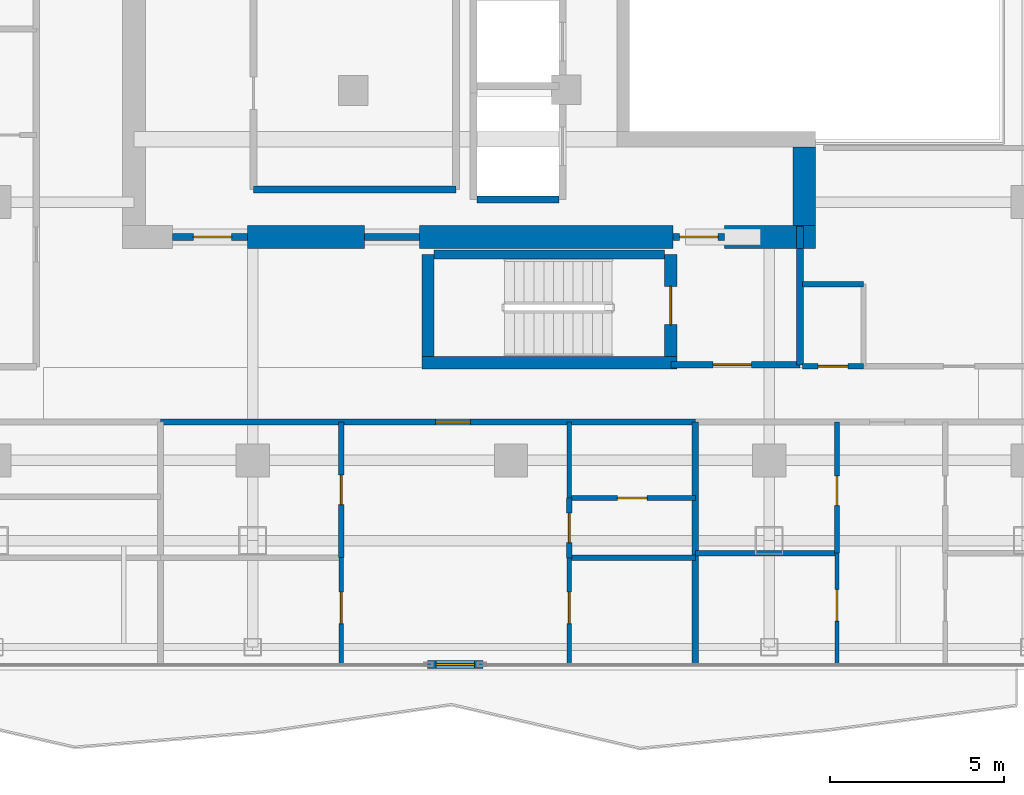
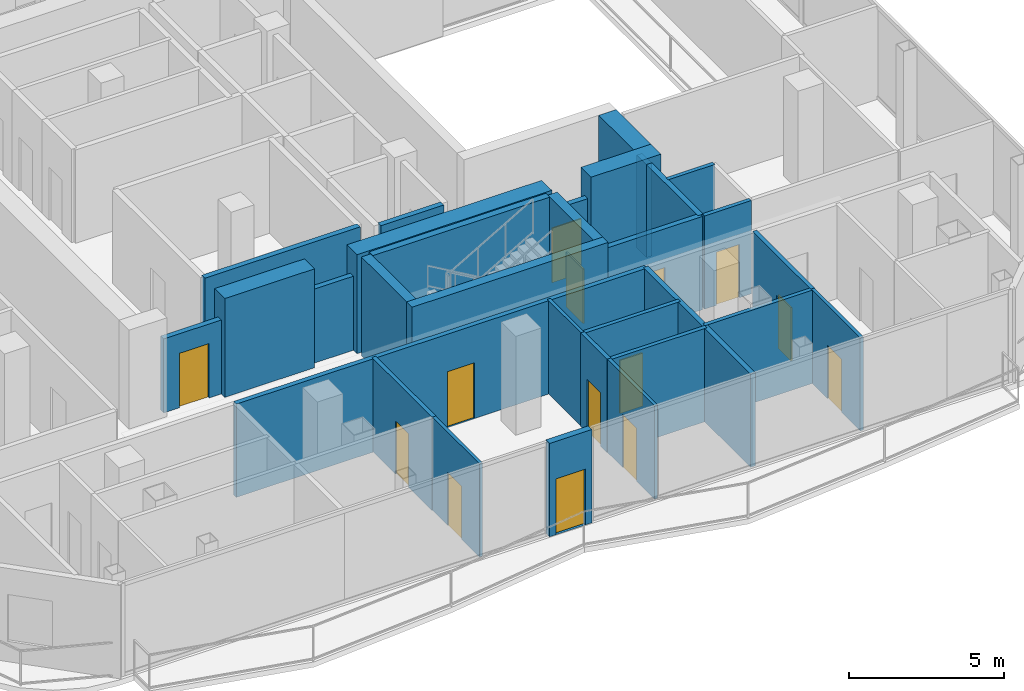
# One storey, part 16 of 23: 31 walls, 14 doors, 14 openings.
"""IFC4 building model written with IfcOpenShell, lengths in metres."""

import ifcopenshell
import ifcopenshell.guid

model = None  # the IFC model being written
_history = None  # IfcOwnerHistory: only IFC2X3 demands one
_inside = {}  # id of a spatial element -> (the spatial element, [elements in it])
_under = {}  # id of a project, library or spatial element -> (it, [spatial elements below it])
_declared = {}  # id of a project -> (the project, [libraries it declares])
_typed = {}  # id of a type object -> (the type object, [elements of that type])
_made_of = {}  # id of a material, layer set ... -> (it, [elements and type objects made of it])


def new_model(schema):
    """Start an empty IFC model of exactly this schema.

    Asked for "IFC4X3", IfcOpenShell would pick the latest addendum, in which some entities
    have other attributes; the version numbers below select the first issue.
    IFC2X3 requires an IfcOwnerHistory on every rooted entity: one is made here for all.
    """
    global model, _history
    if schema == "IFC4X3":
        model = ifcopenshell.file(schema_version=(4, 3, 0, 0))
    else:
        model = ifcopenshell.file(schema=schema)
    _inside.clear()
    _under.clear()
    _declared.clear()
    _typed.clear()
    _made_of.clear()
    _history = None
    if model.schema == "IFC2X3":
        org = make("IfcOrganization", Name="unknown")
        user = make(
            "IfcPersonAndOrganization",
            ThePerson=make("IfcPerson", FamilyName="unknown"),
            TheOrganization=org,
        )
        app = make(
            "IfcApplication",
            ApplicationDeveloper=org,
            Version="unknown",
            ApplicationFullName="unknown",
            ApplicationIdentifier="unknown",
        )
        _history = make(
            "IfcOwnerHistory",
            OwningUser=user,
            OwningApplication=app,
            ChangeAction="ADDED",
            CreationDate=0,
        )
    return model


def make(cls, **values):
    """One entity of the class cls with the attributes given. An attribute that is None is left unset."""
    return model.create_entity(
        cls, **{name: value for name, value in values.items() if value is not None}
    )


def rooted(cls, **values):
    """An entity with a GlobalId (a new one), such as an element, a storey or a relation."""
    return make(cls, GlobalId=ifcopenshell.guid.new(), OwnerHistory=_history, **values)


def si_unit(unit_type, name, prefix=None):
    """IfcSIUnit, for example si_unit("LENGTHUNIT", "METRE", prefix="MILLI")."""
    return make("IfcSIUnit", UnitType=unit_type, Prefix=prefix, Name=name)


def assignment(units):
    """IfcUnitAssignment: the units of a project."""
    return None if units is None else make("IfcUnitAssignment", Units=units)


def point(xyz):
    """IfcCartesianPoint."""
    return None if xyz is None else make("IfcCartesianPoint", Coordinates=xyz)


def direction(xyz):
    """IfcDirection."""
    return None if xyz is None else make("IfcDirection", DirectionRatios=xyz)


def frame(location, z_axis=None, x_axis=None):
    """IfcAxis2Placement3D, a coordinate frame: its origin and axes. An axis left out is left unset."""
    return make(
        "IfcAxis2Placement3D",
        Location=point(location),
        Axis=direction(z_axis),
        RefDirection=direction(x_axis),
    )


def frame_2d(location, x_axis=None):
    """IfcAxis2Placement2D, a coordinate frame in the plane: its origin and x axis."""
    return make(
        "IfcAxis2Placement2D", Location=point(location), RefDirection=direction(x_axis)
    )


def origin():
    """The frame at (0, 0, 0) with its axes left unset."""
    return frame((0.0, 0.0, 0.0))


def place(relative_to, where):
    """IfcLocalPlacement: puts the frame where relative to a parent placement (None: the world)."""
    return make(
        "IfcLocalPlacement", PlacementRelTo=relative_to, RelativePlacement=where
    )


def context(
    kind, dimensions, precision=None, world=None, true_north=None, identifier=None
):
    """IfcGeometricRepresentationContext, for example the 3D "Model" context."""
    return make(
        "IfcGeometricRepresentationContext",
        ContextIdentifier=identifier,
        ContextType=kind,
        CoordinateSpaceDimension=dimensions,
        Precision=precision,
        WorldCoordinateSystem=world,
        TrueNorth=true_north,
    )


def subcontext(parent, identifier, kind, view, scale=None):
    """IfcGeometricRepresentationSubContext, for example "Body" below "Model"."""
    return make(
        "IfcGeometricRepresentationSubContext",
        ContextIdentifier=identifier,
        ContextType=kind,
        ParentContext=parent,
        TargetScale=scale,
        TargetView=view,
    )


def project(units=None, contexts=None):
    """IfcProject with its units and contexts."""
    return rooted(
        "IfcProject",
        Name="project",
        RepresentationContexts=contexts,
        UnitsInContext=assignment(units),
    )


def spatial(cls, under=None, at=None, **own):
    """A site, building, storey or space (cls), placed at a placement, below another one or the project."""
    s = rooted(cls, ObjectPlacement=at, **own)
    if under is not None:
        _under.setdefault(under.id(), (under, []))[1].append(s)
    return s


def profile(cls, at=None, kind="AREA", **sizes):
    """A parametric profile (cls). Its sizes go by their IFC names, for example OverallWidth=200.0."""
    return make(cls, ProfileType=kind, Position=at, **sizes)


def rectangle(**sizes):
    """IfcRectangleProfileDef."""
    return profile("IfcRectangleProfileDef", **sizes)


def extrude(swept, where, along, depth):
    """IfcExtrudedAreaSolid: the profile swept, set in the frame where, extruded along a direction by depth."""
    return make(
        "IfcExtrudedAreaSolid",
        SweptArea=swept,
        Position=where,
        ExtrudedDirection=direction(along),
        Depth=depth,
    )


def shape(context_of_items, identifier, shape_type, items):
    """IfcShapeRepresentation: the items that make up one representation, for example the "Body"."""
    return make(
        "IfcShapeRepresentation",
        ContextOfItems=context_of_items,
        RepresentationIdentifier=identifier,
        RepresentationType=shape_type,
        Items=items,
    )


def material(Name=None, Category=None):
    """IfcMaterial."""
    return make("IfcMaterial", Name=Name, Category=Category)


def layer(
    of_material, thickness, ventilated=None, Name=None, Category=None, Priority=None
):
    """IfcMaterialLayer: one layer of a wall or slab, of a material (None: an air gap)."""
    return make(
        "IfcMaterialLayer",
        Material=of_material,
        LayerThickness=thickness,
        IsVentilated=ventilated,
        Name=Name,
        Category=Category,
        Priority=Priority,
    )


def layer_set(layers, Name=None):
    """IfcMaterialLayerSet."""
    return make("IfcMaterialLayerSet", MaterialLayers=layers, LayerSetName=Name)


def made_of(thing, what):
    """Note that an element or type object is made of a material, layer set ...; save() writes the relation."""
    if what is not None:
        _made_of.setdefault(what.id(), (what, []))[1].append(thing)
    return thing


def type_object(cls, material=None, **own):
    """A type object (cls), such as IfcWallType, which elements share."""
    return made_of(rooted(cls, **own), material)


def element(
    cls,
    number,
    at=None,
    inside=None,
    cuts=None,
    type_object=None,
    material=None,
    context=None,
    identifier="Body",
    shape_type=None,
    held_by="IfcProductDefinitionShape",
    body=None,
    shapes=None,
    **own,
):
    """One element of the class cls, such as IfcWall. Its Tag is "e" and its number.

    at: its placement. inside: the storey or other place that contains it. cuts: it is an
    opening in that element (IfcRelVoidsElement). A single representation is given by context,
    identifier, shape_type and body (its items); several are given by shapes. held_by: the class
    of the entity that holds the representations. save() writes the other relations.
    """
    e = rooted(cls, Tag="e%d" % number, ObjectPlacement=at, **own)
    if body is not None:
        shapes = [shape(context, identifier, shape_type, body)]
    if shapes is not None:
        e.Representation = make(held_by, Representations=shapes)
    if inside is not None:
        _inside.setdefault(inside.id(), (inside, []))[1].append(e)
    if cuts is not None:
        rooted(
            "IfcRelVoidsElement", RelatingBuildingElement=cuts, RelatedOpeningElement=e
        )
    if type_object is not None:
        _typed.setdefault(type_object.id(), (type_object, []))[1].append(e)
    return made_of(e, material)


def fill(opening, filler):
    """IfcRelFillsElement: the door or window that sits in an opening."""
    return rooted(
        "IfcRelFillsElement",
        RelatingOpeningElement=opening,
        RelatedBuildingElement=filler,
    )


def aggregate(whole, parts):
    """IfcRelAggregates: a whole, such as a stair, and the parts it consists of."""
    return rooted("IfcRelAggregates", RelatingObject=whole, RelatedObjects=parts)


def save(model, path):
    """Write the relations noted so far, then the file.

    IfcRelAggregates (storeys below a building ...), IfcRelContainedInSpatialStructure (elements
    in a storey), IfcRelDefinesByType, IfcRelAssociatesMaterial and IfcRelDeclares: one each for
    every whole, place, type object, material and project.
    """
    for whole, parts in _under.values():
        aggregate(whole, parts)
    for where, things in _inside.values():
        rooted(
            "IfcRelContainedInSpatialStructure",
            RelatedElements=things,
            RelatingStructure=where,
        )
    for kind, things in _typed.values():
        rooted("IfcRelDefinesByType", RelatedObjects=things, RelatingType=kind)
    for what, things in _made_of.values():
        rooted("IfcRelAssociatesMaterial", RelatedObjects=things, RelatingMaterial=what)
    for by, libraries in _declared.values():
        rooted("IfcRelDeclares", RelatingContext=by, RelatedDefinitions=libraries)
    model.write(path)


model = new_model("IFC4")

# Units and contexts
model_context = context("Model", 3, precision=1e-05, world=origin(), true_north=direction((0.0, 1.0)))
body_context = subcontext(model_context, "Body", "Model", "MODEL_VIEW")
ifc_project = project(units=[si_unit("LENGTHUNIT", "METRE"), si_unit("AREAUNIT", "SQUARE_METRE"), si_unit("VOLUMEUNIT", "CUBIC_METRE"), si_unit("PLANEANGLEUNIT", "RADIAN"), si_unit("MASSUNIT", "GRAM", prefix="KILO")], contexts=[model_context])

# Site, building, storey
site_placement = place(None, origin())
site = spatial("IfcSite", under=ifc_project, at=site_placement, CompositionType="ELEMENT")
building_placement = place(site_placement, origin())
building = spatial("IfcBuilding", under=site, at=building_placement, Name="Khorvyn Point Tower", CompositionType="ELEMENT")
storey_placement = place(building_placement, frame((0.0, 0.0, 293.699951171875)))
storey = spatial("IfcBuildingStorey", under=building, at=storey_placement, Name="L72", CompositionType="ELEMENT", Elevation=293.699951171875)

# Wall, opening, door
ifc_material_1 = material(Name="Double acoustic gypsum on twin steel stud", Category="steel")
ifc_layer_1 = layer(ifc_material_1, 0.179931640625)
ifc_layer_set_1 = layer_set([ifc_layer_1], Name="Acoustic Double-Stud Apartment Demising Wall 180")
wall_type_1 = type_object("IfcWallType", Name="Acoustic Double-Stud Apartment Demising Wall 180", PredefinedType="PARTITIONING", material=ifc_layer_set_1)
wall_1_placement = place(storey_placement, frame((-10.0400390625, -13.699951171875, 0.0), z_axis=(0.0, 0.0, 1.0), x_axis=(1.0, 0.0, 0.0)))
wall_1 = element("IfcWall", 1, at=wall_1_placement, inside=storey, type_object=wall_type_1, Name="Wall", PredefinedType="PARTITIONING", context=body_context, shape_type="SweptSolid", body=[
    extrude(rectangle(XDim=15.322998046875, YDim=0.179931640625, at=frame_2d((7.66162109375, 0.0))), origin(), (0.0, 0.0, 1.0), 3.679931640625),
])
opening_1_placement = place(wall_1_placement, frame((7.879638671875, 0.0, 0.0)))
opening_1 = element("IfcOpeningElement", 2, at=opening_1_placement, cuts=wall_1, Name="Opening ID-AP60", PredefinedType="OPENING", context=body_context, shape_type="SweptSolid", body=[
    extrude(rectangle(XDim=1.0, YDim=2.199951171875, at=frame_2d((0.5, 1.10009765625))), frame((0.0, 0.099853515625, 0.0), z_axis=(0.0, -1.0, 0.0), x_axis=(1.0, 0.0, 0.0)), (0.0, 0.0, 1.0), 0.199951171875),
])
ifc_material_2 = material(Name="Engineered hardwood fire-rated leaf", Category="wood")
door_type_1 = type_object("IfcDoorType", Name="Acoustic Solid-Core Timber Apartment Entrance Door 1000x2200", OperationType="NOTDEFINED", PredefinedType="DOOR", material=ifc_material_2)
door_1_placement = place(opening_1_placement, origin())
door_1 = element("IfcDoor", 3, at=door_1_placement, inside=storey, type_object=door_type_1, Name="Door", OperationType="SINGLE_SWING_LEFT", OverallHeight=2.199951171875, OverallWidth=1.0, PredefinedType="DOOR", context=body_context, shape_type="SweptSolid", body=[
    extrude(rectangle(XDim=1.0, YDim=2.199951171875, at=frame_2d((0.5, 1.10009765625))), frame((0.0, 0.02490234375, 0.0), z_axis=(0.0, -1.0, 0.0), x_axis=(1.0, 0.0, 0.0)), (0.0, 0.0, 1.0), 0.050048828125),
])
fill(opening_1, door_1)

# Wall
wall_2_placement = place(storey_placement, frame((5.282958984375, -20.6298828125, 0.0), z_axis=(0.0, 0.0, 1.0), x_axis=(0.0, 1.0, 0.0)))
element("IfcWall", 4, at=wall_2_placement, inside=storey, type_object=wall_type_1, Name="Wall", PredefinedType="PARTITIONING", context=body_context, shape_type="SweptSolid", body=[
    extrude(rectangle(XDim=6.929931640625, YDim=0.179931640625, at=frame_2d((3.46484375, 0.0))), origin(), (0.0, 0.0, 1.0), 3.679931640625),
])

# Wall, opening, door
ifc_material_3 = material(Name="Pale anodised aluminium rainscreen on steel stud", Category="steel")
ifc_layer_2 = layer(ifc_material_3, 0.239990234375)
ifc_layer_set_2 = layer_set([ifc_layer_2], Name="Anodised Aluminium Insulated Corner Spandrel Wall 240")
wall_type_2 = type_object("IfcWallType", Name="Anodised Aluminium Insulated Corner Spandrel Wall 240", PredefinedType="SOLIDWALL", material=ifc_layer_set_2)
wall_3_placement = place(storey_placement, frame((-0.806884765625, -20.64990234375, 0.0), z_axis=(0.0, 0.0, 1.0), x_axis=(-1.0, 0.0, 0.0)))
wall_3 = element("IfcWall", 5, at=wall_3_placement, inside=storey, type_object=wall_type_2, Name="L72 South Outdoor Threshold Wall", PredefinedType="SOLIDWALL", context=body_context, shape_type="SweptSolid", body=[
    extrude(rectangle(XDim=1.580078125, YDim=0.239990234375, at=frame_2d((0.7900390625, 0.0))), origin(), (0.0, 0.0, 1.0), 3.679931640625),
])
opening_2_placement = place(wall_3_placement, frame((0.239990234375, 0.0, 0.0)))
opening_2 = element("IfcOpeningElement", 6, at=opening_2_placement, cuts=wall_3, Name="Opening BD-1122", PredefinedType="OPENING", context=body_context, shape_type="SweptSolid", body=[
    extrude(rectangle(XDim=1.10009765625, YDim=2.199951171875, at=frame_2d((0.550048828125, 1.10009765625))), frame((0.0, 0.1298828125, 0.0), z_axis=(0.0, -1.0, 0.0), x_axis=(1.0, 0.0, 0.0)), (0.0, 0.0, 1.0), 0.260009765625),
])
ifc_material_4 = material(Name="Anodised aluminium 6063-T6 and laminated Low-E glass", Category="aluminium")
door_type_2 = type_object("IfcDoorType", Name="Glazed Balcony and Terrace Threshold Door 1100x2200", OperationType="NOTDEFINED", PredefinedType="DOOR", material=ifc_material_4)
door_2_placement = place(opening_2_placement, origin())
door_2 = element("IfcDoor", 7, at=door_2_placement, inside=storey, type_object=door_type_2, Name="L72 South Glazed Balcony Outdoor Door", OperationType="SINGLE_SWING_LEFT", OverallHeight=2.199951171875, OverallWidth=1.10009765625, PredefinedType="DOOR", context=body_context, shape_type="SweptSolid", body=[
    extrude(rectangle(XDim=1.10009765625, YDim=2.199951171875, at=frame_2d((0.550048828125, 1.10009765625))), frame((0.0, 0.02490234375, 0.0), z_axis=(0.0, -1.0, 0.0), x_axis=(1.0, 0.0, 0.0)), (0.0, 0.0, 1.0), 0.050048828125),
])
fill(opening_2, door_2)

# Walls
ifc_material_5 = material(Name="Concrete C40/50", Category="concrete")
ifc_layer_3 = layer(ifc_material_5, 0.64990234375)
ifc_layer_set_3 = layer_set([ifc_layer_3], Name="Concrete C40/50 Core Shear Wall 650")
wall_type_3 = type_object("IfcWallType", Name="Concrete C40/50 Core Shear Wall 650", PredefinedType="SHEAR", material=ifc_layer_set_3)
wall_4_placement = place(storey_placement, frame((-7.550048828125, -8.39990234375, 0.0), z_axis=(0.0, 0.0, 1.0), x_axis=(1.0, 0.0, 0.0)))
element("IfcWall", 8, at=wall_4_placement, inside=storey, type_object=wall_type_3, Name="Wall", PredefinedType="SHEAR", context=body_context, shape_type="SweptSolid", body=[
    extrude(rectangle(XDim=3.35009765625, YDim=0.64990234375, at=frame_2d((1.675048828125, 0.0))), origin(), (0.0, 0.0, 1.0), 3.900146484375),
])
wall_5_placement = place(storey_placement, frame((-2.6201171875, -8.39990234375, 0.0), z_axis=(0.0, 0.0, 1.0), x_axis=(1.0, 0.0, 0.0)))
element("IfcWall", 9, at=wall_5_placement, inside=storey, type_object=wall_type_3, Name="Wall", PredefinedType="SHEAR", context=body_context, shape_type="SweptSolid", body=[
    extrude(rectangle(XDim=7.27001953125, YDim=0.64990234375, at=frame_2d((3.635009765625, 0.0))), origin(), (0.0, 0.0, 1.0), 3.900146484375),
])
wall_6_placement = place(storey_placement, frame((6.1201171875, -8.39990234375, 0.0), z_axis=(0.0, 0.0, 1.0), x_axis=(1.0, 0.0, 0.0)))
element("IfcWall", 10, at=wall_6_placement, inside=storey, type_object=wall_type_3, Name="Wall", PredefinedType="SHEAR", context=body_context, shape_type="SweptSolid", body=[
    extrude(rectangle(XDim=2.60498046875, YDim=0.64990234375, at=frame_2d((1.302490234375, 0.0))), origin(), (0.0, 0.0, 1.0), 3.900146484375),
])
wall_7_placement = place(storey_placement, frame((8.39990234375, -8.074951171875, 0.0), z_axis=(0.0, 0.0, 1.0), x_axis=(0.0, 1.0, 0.0)))
element("IfcWall", 11, at=wall_7_placement, inside=storey, type_object=wall_type_3, Name="Wall", PredefinedType="SHEAR", context=body_context, shape_type="SweptSolid", body=[
    extrude(rectangle(XDim=2.25, YDim=0.64990234375, at=frame_2d((1.125, 0.0))), origin(), (0.0, 0.0, 1.0), 3.900146484375),
])

# Wall, opening, door
ifc_layer_4 = layer(ifc_material_5, 0.199951171875)
ifc_layer_set_4 = layer_set([ifc_layer_4], Name="Concrete C40/50 Fire-Lobby Compartment Wall 200")
wall_type_4 = type_object("IfcWallType", Name="Concrete C40/50 Fire-Lobby Compartment Wall 200", PredefinedType="SOLIDWALL", material=ifc_layer_set_4)
wall_8_placement = place(storey_placement, frame((4.580078125, -12.06005859375, 0.0), z_axis=(0.0, 0.0, 1.0), x_axis=(1.0, 0.0, 0.0)))
wall_8 = element("IfcWall", 12, at=wall_8_placement, inside=storey, type_object=wall_type_4, Name="Wall", PredefinedType="SOLIDWALL", context=body_context, shape_type="SweptSolid", body=[
    extrude(rectangle(XDim=3.699951171875, YDim=0.199951171875, at=frame_2d((1.85009765625, 0.0))), origin(), (0.0, 0.0, 1.0), 3.679931640625),
])
opening_3_placement = place(wall_8_placement, frame((1.21240234375, 0.0, 0.0)))
opening_3 = element("IfcOpeningElement", 13, at=opening_3_placement, cuts=wall_8, Name="Opening ID-FL90", PredefinedType="OPENING", context=body_context, shape_type="SweptSolid", body=[
    extrude(rectangle(XDim=1.10009765625, YDim=2.14990234375, at=frame_2d((0.550048828125, 1.074951171875))), frame((0.0, 0.10986328125, 0.0), z_axis=(0.0, -1.0, 0.0), x_axis=(1.0, 0.0, 0.0)), (0.0, 0.0, 1.0), 0.219970703125),
])
ifc_material_6 = material(Name="Galvanised powder-coated steel", Category="steel")
door_type_3 = type_object("IfcDoorType", Name="Fire-Rated Steel Lobby and Stair Door 1100x2150", OperationType="NOTDEFINED", PredefinedType="DOOR", material=ifc_material_6)
door_3_placement = place(opening_3_placement, origin())
door_3 = element("IfcDoor", 14, at=door_3_placement, inside=storey, type_object=door_type_3, Name="Door", OperationType="SINGLE_SWING_LEFT", OverallHeight=2.14990234375, OverallWidth=1.10009765625, PredefinedType="DOOR", context=body_context, shape_type="SweptSolid", body=[
    extrude(rectangle(XDim=1.10009765625, YDim=2.14990234375, at=frame_2d((0.550048828125, 1.074951171875))), frame((0.0, 0.02490234375, 0.0), z_axis=(0.0, -1.0, 0.0), x_axis=(1.0, 0.0, 0.0)), (0.0, 0.0, 1.0), 0.050048828125),
])
fill(opening_3, door_3)

wall_9_placement = place(storey_placement, frame((4.64990234375, -8.39990234375, 0.0), z_axis=(0.0, 0.0, 1.0), x_axis=(1.0, 0.0, 0.0)))
wall_9 = element("IfcWall", 15, at=wall_9_placement, inside=storey, type_object=wall_type_4, Name="Wall", PredefinedType="SOLIDWALL", context=body_context, shape_type="SweptSolid", body=[
    extrude(rectangle(XDim=1.47021484375, YDim=0.199951171875, at=frame_2d((0.735107421875, 0.0))), origin(), (0.0, 0.0, 1.0), 2.920166015625),
])
opening_4_placement = place(wall_9_placement, frame((0.18505859375, 0.0, 0.0)))
opening_4 = element("IfcOpeningElement", 16, at=opening_4_placement, cuts=wall_9, Name="Opening ID-FL90", PredefinedType="OPENING", context=body_context, shape_type="SweptSolid", body=[
    extrude(rectangle(XDim=1.10009765625, YDim=2.14990234375, at=frame_2d((0.550048828125, 1.074951171875))), frame((0.0, 0.10986328125, 0.0), z_axis=(0.0, -1.0, 0.0), x_axis=(1.0, 0.0, 0.0)), (0.0, 0.0, 1.0), 0.219970703125),
])
door_4_placement = place(opening_4_placement, origin())
door_4 = element("IfcDoor", 17, at=door_4_placement, inside=storey, type_object=door_type_3, Name="Door", OperationType="SINGLE_SWING_RIGHT", OverallHeight=2.14990234375, OverallWidth=1.10009765625, PredefinedType="DOOR", context=body_context, shape_type="SweptSolid", body=[
    extrude(rectangle(XDim=1.10009765625, YDim=2.14990234375, at=frame_2d((0.550048828125, 1.074951171875))), frame((0.0, 0.02490234375, 0.0), z_axis=(0.0, -1.0, 0.0), x_axis=(1.0, 0.0, 0.0)), (0.0, 0.0, 1.0), 0.050048828125),
])
fill(opening_4, door_4)

wall_10_placement = place(storey_placement, frame((-9.699951171875, -8.39990234375, 0.0), z_axis=(0.0, 0.0, 1.0), x_axis=(1.0, 0.0, 0.0)))
wall_10 = element("IfcWall", 18, at=wall_10_placement, inside=storey, type_object=wall_type_4, Name="Wall", PredefinedType="SOLIDWALL", context=body_context, shape_type="SweptSolid", body=[
    extrude(rectangle(XDim=2.14990234375, YDim=0.199951171875, at=frame_2d((1.074951171875, 0.0))), origin(), (0.0, 0.0, 1.0), 2.920166015625),
])
opening_5_placement = place(wall_10_placement, frame((0.597900390625, 0.0, 0.0)))
opening_5 = element("IfcOpeningElement", 19, at=opening_5_placement, cuts=wall_10, Name="Opening ID-FL90", PredefinedType="OPENING", context=body_context, shape_type="SweptSolid", body=[
    extrude(rectangle(XDim=1.10009765625, YDim=2.14990234375, at=frame_2d((0.550048828125, 1.074951171875))), frame((0.0, 0.10986328125, 0.0), z_axis=(0.0, -1.0, 0.0), x_axis=(1.0, 0.0, 0.0)), (0.0, 0.0, 1.0), 0.219970703125),
])
door_5_placement = place(opening_5_placement, origin())
door_5 = element("IfcDoor", 20, at=door_5_placement, inside=storey, type_object=door_type_3, Name="Door", OperationType="SINGLE_SWING_RIGHT", OverallHeight=2.14990234375, OverallWidth=1.10009765625, PredefinedType="DOOR", context=body_context, shape_type="SweptSolid", body=[
    extrude(rectangle(XDim=1.10009765625, YDim=2.14990234375, at=frame_2d((0.550048828125, 1.074951171875))), frame((0.0, 0.02490234375, 0.0), z_axis=(0.0, -1.0, 0.0), x_axis=(1.0, 0.0, 0.0)), (0.0, 0.0, 1.0), 0.050048828125),
])
fill(opening_5, door_5)

# Walls
wall_11_placement = place(storey_placement, frame((8.280029296875, -12.06005859375, 0.0), z_axis=(0.0, 0.0, 1.0), x_axis=(0.0, 1.0, 0.0)))
element("IfcWall", 21, at=wall_11_placement, inside=storey, type_object=wall_type_4, Name="Wall", PredefinedType="SOLIDWALL", context=body_context, shape_type="SweptSolid", body=[
    extrude(rectangle(XDim=3.3349609375, YDim=0.199951171875, at=frame_2d((1.66748046875, 0.0))), origin(), (0.0, 0.0, 1.0), 3.679931640625),
])
wall_12_placement = place(storey_placement, frame((-4.199951171875, -8.39990234375, 0.0), z_axis=(0.0, 0.0, 1.0), x_axis=(1.0, 0.0, 0.0)))
element("IfcWall", 22, at=wall_12_placement, inside=storey, type_object=wall_type_4, Name="Wall", PredefinedType="SOLIDWALL", context=body_context, shape_type="SweptSolid", body=[
    extrude(rectangle(XDim=1.579833984375, YDim=0.199951171875, at=frame_2d((0.7900390625, 0.0))), origin(), (0.0, 0.0, 1.0), 2.920166015625),
])
wall_13_placement = place(storey_placement, frame((-7.3798828125, -7.0400390625, 0.0), z_axis=(0.0, 0.0, 1.0), x_axis=(1.0, 0.0, 0.0)))
element("IfcWall", 23, at=wall_13_placement, inside=storey, type_object=wall_type_4, Name="Wall", PredefinedType="SOLIDWALL", context=body_context, shape_type="SweptSolid", body=[
    extrude(rectangle(XDim=5.7998046875, YDim=0.199951171875, at=frame_2d((2.89990234375, 0.0))), origin(), (0.0, 0.0, 1.0), 3.679931640625),
])
wall_14_placement = place(storey_placement, frame((8.280029296875, -8.72509765625, 0.0), z_axis=(0.0, 0.0, 1.0), x_axis=(0.0, 1.0, 0.0)))
element("IfcWall", 24, at=wall_14_placement, inside=storey, type_object=wall_type_4, Name="Wall", PredefinedType="SOLIDWALL", context=body_context, shape_type="SweptSolid", body=[
    extrude(rectangle(XDim=0.625, YDim=0.199951171875, at=frame_2d((0.3125, 0.0))), origin(), (0.0, 0.0, 1.0), 3.679931640625),
])
ifc_layer_5 = layer(ifc_material_5, 0.25)
ifc_layer_set_5 = layer_set([ifc_layer_5], Name="Concrete C40/50 Stair Inner Cheek Structural Wall 250")
wall_type_5 = type_object("IfcWallType", Name="Concrete C40/50 Stair Inner Cheek Structural Wall 250", PredefinedType="SHEAR", material=ifc_layer_set_5)
wall_15_placement = place(storey_placement, frame((-2.199951171875, -8.89990234375, 0.0), z_axis=(0.0, 0.0, 1.0), x_axis=(1.0, 0.0, 0.0)))
element("IfcWall", 25, at=wall_15_placement, inside=storey, type_object=wall_type_5, Name="Wall", PredefinedType="SHEAR", context=body_context, shape_type="SweptSolid", body=[
    extrude(rectangle(XDim=6.599853515625, YDim=0.25, at=frame_2d((3.2998046875, 0.0))), origin(), (0.0, 0.0, 1.0), 3.900146484375),
])
ifc_layer_6 = layer(ifc_material_5, 0.35009765625)
ifc_layer_set_6 = layer_set([ifc_layer_6], Name="Concrete C40/50 Stair Shaft Structural Wall 350")
wall_type_6 = type_object("IfcWallType", Name="Concrete C40/50 Stair Shaft Structural Wall 350", PredefinedType="SHEAR", material=ifc_layer_set_6)
wall_16_placement = place(storey_placement, frame((-2.554931640625, -12.0, 0.0), z_axis=(0.0, 0.0, 1.0), x_axis=(1.0, 0.0, 0.0)))
element("IfcWall", 26, at=wall_16_placement, inside=storey, type_object=wall_type_6, Name="L72 ST-01 South Shaft Wall", PredefinedType="SHEAR", context=body_context, shape_type="SweptSolid", body=[
    extrude(rectangle(XDim=7.309814453125, YDim=0.35009765625, at=frame_2d((3.65478515625, 0.0))), origin(), (0.0, 0.0, 1.0), 3.900146484375),
])
wall_17_placement = place(storey_placement, frame((-2.3798828125, -11.824951171875, 0.0), z_axis=(0.0, 0.0, 1.0), x_axis=(0.0, 1.0, 0.0)))
element("IfcWall", 27, at=wall_17_placement, inside=storey, type_object=wall_type_6, Name="L72 ST-01 West Shaft Wall", PredefinedType="SHEAR", context=body_context, shape_type="SweptSolid", body=[
    extrude(rectangle(XDim=2.925048828125, YDim=0.35009765625, at=frame_2d((1.46240234375, 0.0))), origin(), (0.0, 0.0, 1.0), 3.900146484375),
])

# Wall, opening, door
wall_18_placement = place(storey_placement, frame((4.580078125, -8.89990234375, 0.0), z_axis=(0.0, 0.0, 1.0), x_axis=(0.0, -1.0, 0.0)))
wall_18 = element("IfcWall", 28, at=wall_18_placement, inside=storey, type_object=wall_type_6, Name="L72 ST-01 East Landing Door Wall", PredefinedType="SHEAR", context=body_context, shape_type="SweptSolid", body=[
    extrude(rectangle(XDim=2.925048828125, YDim=0.35009765625, at=frame_2d((1.46240234375, 0.0))), origin(), (0.0, 0.0, 1.0), 3.900146484375),
])
opening_6_placement = place(wall_18_placement, frame((0.91259765625, 0.0, 0.0)))
opening_6 = element("IfcOpeningElement", 29, at=opening_6_placement, cuts=wall_18, Name="Opening ID-FL90", PredefinedType="OPENING", context=body_context, shape_type="SweptSolid", body=[
    extrude(rectangle(XDim=1.10009765625, YDim=2.14990234375, at=frame_2d((0.550048828125, 1.074951171875))), frame((0.0, 0.18505859375, 0.0), z_axis=(0.0, -1.0, 0.0), x_axis=(1.0, 0.0, 0.0)), (0.0, 0.0, 1.0), 0.3701171875),
])
door_6_placement = place(opening_6_placement, origin())
door_6 = element("IfcDoor", 30, at=door_6_placement, inside=storey, type_object=door_type_3, Name="L72 ST-01 Smokeproof Landing Door", OperationType="SINGLE_SWING_RIGHT", OverallHeight=2.14990234375, OverallWidth=1.10009765625, PredefinedType="DOOR", context=body_context, shape_type="SweptSolid", body=[
    extrude(rectangle(XDim=1.10009765625, YDim=2.14990234375, at=frame_2d((0.550048828125, 1.074951171875))), frame((0.0, 0.02490234375, 0.0), z_axis=(0.0, -1.0, 0.0), x_axis=(1.0, 0.0, 0.0)), (0.0, 0.0, 1.0), 0.050048828125),
])
fill(opening_6, door_6)

# Wall
ifc_layer_7 = layer(ifc_material_5, 0.199951171875)
ifc_layer_set_7 = layer_set([ifc_layer_7], Name="Concrete C40/50 Structural Hoistway and Stair Shaft Wall 200")
wall_type_7 = type_object("IfcWallType", Name="Concrete C40/50 Structural Hoistway and Stair Shaft Wall 200", PredefinedType="SHEAR", material=ifc_layer_set_7)
wall_19_placement = place(storey_placement, frame((-0.97509765625, -7.324951171875, 0.0), z_axis=(0.0, 0.0, 1.0), x_axis=(1.0, 0.0, 0.0)))
element("IfcWall", 31, at=wall_19_placement, inside=storey, type_object=wall_type_7, Name="Wall", PredefinedType="SHEAR", context=body_context, shape_type="SweptSolid", body=[
    extrude(rectangle(XDim=2.35009765625, YDim=0.199951171875, at=frame_2d((1.175048828125, 0.0))), origin(), (0.0, 0.0, 1.0), 3.679931640625),
])

# Wall, opening, door
ifc_material_7 = material(Name="Gypsum plasterboard on steel stud", Category="steel")
ifc_layer_8 = layer(ifc_material_7, 0.1201171875)
ifc_layer_set_8 = layer_set([ifc_layer_8], Name="Gypsum Acoustic Stud Room Partition Wall 120")
wall_type_8 = type_object("IfcWallType", Name="Gypsum Acoustic Stud Room Partition Wall 120", PredefinedType="PARTITIONING", material=ifc_layer_set_8)
wall_20_placement = place(storey_placement, frame((-4.861083984375, -20.6298828125, 0.0), z_axis=(0.0, 0.0, 1.0), x_axis=(0.0, 1.0, 0.0)))
wall_20 = element("IfcWall", 32, at=wall_20_placement, inside=storey, type_object=wall_type_8, Name="Wall", PredefinedType="PARTITIONING", context=body_context, shape_type="SweptSolid", body=[
    extrude(rectangle(XDim=3.039794921875, YDim=0.1201171875, at=frame_2d((1.52001953125, 0.0))), origin(), (0.0, 0.0, 1.0), 3.679931640625),
])
opening_7_placement = place(wall_20_placement, frame((1.152587890625, 0.0, 0.0)))
opening_7 = element("IfcOpeningElement", 33, at=opening_7_placement, cuts=wall_20, Name="Opening ID-RM90", PredefinedType="OPENING", context=body_context, shape_type="SweptSolid", body=[
    extrude(rectangle(XDim=0.89990234375, YDim=2.10009765625, at=frame_2d((0.449951171875, 1.050048828125))), frame((0.0, 0.070068359375, 0.0), z_axis=(0.0, -1.0, 0.0), x_axis=(1.0, 0.0, 0.0)), (0.0, 0.0, 1.0), 0.14013671875),
])
ifc_material_8 = material(Name="Engineered oak veneer timber", Category="wood")
door_type_4 = type_object("IfcDoorType", Name="Flush Engineered Timber Room Door 900x2100", OperationType="NOTDEFINED", PredefinedType="DOOR", material=ifc_material_8)
door_7_placement = place(opening_7_placement, origin())
door_7 = element("IfcDoor", 34, at=door_7_placement, inside=storey, type_object=door_type_4, Name="Door", OperationType="SINGLE_SWING_LEFT", OverallHeight=2.10009765625, OverallWidth=0.89990234375, PredefinedType="DOOR", context=body_context, shape_type="SweptSolid", body=[
    extrude(rectangle(XDim=0.89990234375, YDim=2.10009765625, at=frame_2d((0.449951171875, 1.050048828125))), frame((0.0, 0.02490234375, 0.0), z_axis=(0.0, -1.0, 0.0), x_axis=(1.0, 0.0, 0.0)), (0.0, 0.0, 1.0), 0.050048828125),
])
fill(opening_7, door_7)

# Wall
wall_21_placement = place(storey_placement, frame((1.66796875, -15.8779296875, 0.0), z_axis=(0.0, 0.0, 1.0), x_axis=(0.0, 1.0, 0.0)))
element("IfcWall", 35, at=wall_21_placement, inside=storey, type_object=wall_type_8, Name="Wall", PredefinedType="PARTITIONING", context=body_context, shape_type="SweptSolid", body=[
    extrude(rectangle(XDim=2.177978515625, YDim=0.1201171875, at=frame_2d((1.0888671875, 0.0))), origin(), (0.0, 0.0, 1.0), 3.679931640625),
])

# Wall, opening, door
wall_22_placement = place(storey_placement, frame((1.66796875, -20.6298828125, 0.0), z_axis=(0.0, 0.0, 1.0), x_axis=(0.0, 1.0, 0.0)))
wall_22 = element("IfcWall", 36, at=wall_22_placement, inside=storey, type_object=wall_type_8, Name="Wall", PredefinedType="PARTITIONING", context=body_context, shape_type="SweptSolid", body=[
    extrude(rectangle(XDim=3.039794921875, YDim=0.1201171875, at=frame_2d((1.52001953125, 0.0))), origin(), (0.0, 0.0, 1.0), 3.679931640625),
])
opening_8_placement = place(wall_22_placement, frame((1.152587890625, 0.0, 0.0)))
opening_8 = element("IfcOpeningElement", 37, at=opening_8_placement, cuts=wall_22, Name="Opening ID-RM90", PredefinedType="OPENING", context=body_context, shape_type="SweptSolid", body=[
    extrude(rectangle(XDim=0.89990234375, YDim=2.10009765625, at=frame_2d((0.449951171875, 1.050048828125))), frame((0.0, 0.070068359375, 0.0), z_axis=(0.0, -1.0, 0.0), x_axis=(1.0, 0.0, 0.0)), (0.0, 0.0, 1.0), 0.14013671875),
])
door_8_placement = place(opening_8_placement, origin())
door_8 = element("IfcDoor", 38, at=door_8_placement, inside=storey, type_object=door_type_4, Name="Door", OperationType="SINGLE_SWING_RIGHT", OverallHeight=2.10009765625, OverallWidth=0.89990234375, PredefinedType="DOOR", context=body_context, shape_type="SweptSolid", body=[
    extrude(rectangle(XDim=0.89990234375, YDim=2.10009765625, at=frame_2d((0.449951171875, 1.050048828125))), frame((0.0, 0.02490234375, 0.0), z_axis=(0.0, -1.0, 0.0), x_axis=(1.0, 0.0, 0.0)), (0.0, 0.0, 1.0), 0.050048828125),
])
fill(opening_8, door_8)

wall_23_placement = place(storey_placement, frame((9.343017578125, -20.6298828125, 0.0), z_axis=(0.0, 0.0, 1.0), x_axis=(0.0, 1.0, 0.0)))
wall_23 = element("IfcWall", 39, at=wall_23_placement, inside=storey, type_object=wall_type_8, Name="Wall", PredefinedType="PARTITIONING", context=body_context, shape_type="SweptSolid", body=[
    extrude(rectangle(XDim=3.1689453125, YDim=0.1201171875, at=frame_2d((1.58447265625, 0.0))), origin(), (0.0, 0.0, 1.0), 3.679931640625),
])
opening_9_placement = place(wall_23_placement, frame((1.22314453125, 0.0, 0.0)))
opening_9 = element("IfcOpeningElement", 40, at=opening_9_placement, cuts=wall_23, Name="Opening ID-RM90", PredefinedType="OPENING", context=body_context, shape_type="SweptSolid", body=[
    extrude(rectangle(XDim=0.89990234375, YDim=2.10009765625, at=frame_2d((0.449951171875, 1.050048828125))), frame((0.0, 0.070068359375, 0.0), z_axis=(0.0, -1.0, 0.0), x_axis=(1.0, 0.0, 0.0)), (0.0, 0.0, 1.0), 0.14013671875),
])
door_9_placement = place(opening_9_placement, origin())
door_9 = element("IfcDoor", 41, at=door_9_placement, inside=storey, type_object=door_type_4, Name="Door", OperationType="SINGLE_SWING_LEFT", OverallHeight=2.10009765625, OverallWidth=0.89990234375, PredefinedType="DOOR", context=body_context, shape_type="SweptSolid", body=[
    extrude(rectangle(XDim=0.89990234375, YDim=2.10009765625, at=frame_2d((0.449951171875, 1.050048828125))), frame((0.0, 0.02490234375, 0.0), z_axis=(0.0, -1.0, 0.0), x_axis=(1.0, 0.0, 0.0)), (0.0, 0.0, 1.0), 0.050048828125),
])
fill(opening_9, door_9)

ifc_material_9 = material(Name="Moisture-resistant gypsum and cement board", Category="gypsum")
ifc_layer_9 = layer(ifc_material_9, 0.14990234375)
ifc_layer_set_9 = layer_set([ifc_layer_9], Name="Moisture-Resistant Wet-Room Partition Wall 150")
wall_type_9 = type_object("IfcWallType", Name="Moisture-Resistant Wet-Room Partition Wall 150", PredefinedType="PARTITIONING", material=ifc_layer_set_9)
wall_24_placement = place(storey_placement, frame((8.360107421875, -12.10009765625, 0.0), z_axis=(0.0, 0.0, 1.0), x_axis=(1.0, 0.0, 0.0)))
wall_24 = element("IfcWall", 42, at=wall_24_placement, inside=storey, type_object=wall_type_9, Name="Wall", PredefinedType="PARTITIONING", context=body_context, shape_type="SweptSolid", body=[
    extrude(rectangle(XDim=1.739990234375, YDim=0.14990234375, at=frame_2d((0.8701171875, 0.0))), origin(), (0.0, 0.0, 1.0), 3.679931640625),
])
opening_10_placement = place(wall_24_placement, frame((0.445068359375, 0.0, 0.0)))
opening_10 = element("IfcOpeningElement", 43, at=opening_10_placement, cuts=wall_24, Name="Opening ID-WC85", PredefinedType="OPENING", context=body_context, shape_type="SweptSolid", body=[
    extrude(rectangle(XDim=0.85009765625, YDim=2.10009765625, at=frame_2d((0.425048828125, 1.050048828125))), frame((0.0, 0.0849609375, 0.0), z_axis=(0.0, -1.0, 0.0), x_axis=(1.0, 0.0, 0.0)), (0.0, 0.0, 1.0), 0.169921875),
])
ifc_material_10 = material(Name="High-pressure laminate on moisture-resistant core", Category="wood")
door_type_5 = type_object("IfcDoorType", Name="Moisture-Resistant Accessible Washroom Door 850x2100", OperationType="NOTDEFINED", PredefinedType="DOOR", material=ifc_material_10)
door_10_placement = place(opening_10_placement, origin())
door_10 = element("IfcDoor", 44, at=door_10_placement, inside=storey, type_object=door_type_5, Name="Door", OperationType="SINGLE_SWING_RIGHT", OverallHeight=2.10009765625, OverallWidth=0.85009765625, PredefinedType="DOOR", context=body_context, shape_type="SweptSolid", body=[
    extrude(rectangle(XDim=0.85009765625, YDim=2.10009765625, at=frame_2d((0.425048828125, 1.050048828125))), frame((0.0, 0.02490234375, 0.0), z_axis=(0.0, -1.0, 0.0), x_axis=(1.0, 0.0, 0.0)), (0.0, 0.0, 1.0), 0.050048828125),
])
fill(opening_10, door_10)

wall_25_placement = place(storey_placement, frame((-4.861083984375, -17.590087890625, 0.0), z_axis=(0.0, 0.0, 1.0), x_axis=(0.0, 1.0, 0.0)))
wall_25 = element("IfcWall", 45, at=wall_25_placement, inside=storey, type_object=wall_type_9, Name="Wall", PredefinedType="PARTITIONING", context=body_context, shape_type="SweptSolid", body=[
    extrude(rectangle(XDim=3.89013671875, YDim=0.14990234375, at=frame_2d((1.945068359375, 0.0))), origin(), (0.0, 0.0, 1.0), 3.679931640625),
])
opening_11_placement = place(wall_25_placement, frame((1.52001953125, 0.0, 0.0)))
opening_11 = element("IfcOpeningElement", 46, at=opening_11_placement, cuts=wall_25, Name="Opening ID-WC85", PredefinedType="OPENING", context=body_context, shape_type="SweptSolid", body=[
    extrude(rectangle(XDim=0.85009765625, YDim=2.10009765625, at=frame_2d((0.425048828125, 1.050048828125))), frame((0.0, 0.0849609375, 0.0), z_axis=(0.0, -1.0, 0.0), x_axis=(1.0, 0.0, 0.0)), (0.0, 0.0, 1.0), 0.169921875),
])
door_11_placement = place(opening_11_placement, origin())
door_11 = element("IfcDoor", 47, at=door_11_placement, inside=storey, type_object=door_type_5, Name="Door", OperationType="SINGLE_SWING_RIGHT", OverallHeight=2.10009765625, OverallWidth=0.85009765625, PredefinedType="DOOR", context=body_context, shape_type="SweptSolid", body=[
    extrude(rectangle(XDim=0.85009765625, YDim=2.10009765625, at=frame_2d((0.425048828125, 1.050048828125))), frame((0.0, 0.02490234375, 0.0), z_axis=(0.0, -1.0, 0.0), x_axis=(1.0, 0.0, 0.0)), (0.0, 0.0, 1.0), 0.050048828125),
])
fill(opening_11, door_11)

wall_26_placement = place(storey_placement, frame((1.66796875, -17.590087890625, 0.0), z_axis=(0.0, 0.0, 1.0), x_axis=(0.0, 1.0, 0.0)))
wall_26 = element("IfcWall", 48, at=wall_26_placement, inside=storey, type_object=wall_type_9, Name="Wall", PredefinedType="PARTITIONING", context=body_context, shape_type="SweptSolid", body=[
    extrude(rectangle(XDim=1.712158203125, YDim=0.14990234375, at=frame_2d((0.85595703125, 0.0))), origin(), (0.0, 0.0, 1.0), 3.679931640625),
])
opening_12_placement = place(wall_26_placement, frame((0.430908203125, 0.0, 0.0)))
opening_12 = element("IfcOpeningElement", 49, at=opening_12_placement, cuts=wall_26, Name="Opening ID-WC85", PredefinedType="OPENING", context=body_context, shape_type="SweptSolid", body=[
    extrude(rectangle(XDim=0.85009765625, YDim=2.10009765625, at=frame_2d((0.425048828125, 1.050048828125))), frame((0.0, 0.0849609375, 0.0), z_axis=(0.0, -1.0, 0.0), x_axis=(1.0, 0.0, 0.0)), (0.0, 0.0, 1.0), 0.169921875),
])
door_12_placement = place(opening_12_placement, origin())
door_12 = element("IfcDoor", 50, at=door_12_placement, inside=storey, type_object=door_type_5, Name="Door", OperationType="SINGLE_SWING_RIGHT", OverallHeight=2.10009765625, OverallWidth=0.85009765625, PredefinedType="DOOR", context=body_context, shape_type="SweptSolid", body=[
    extrude(rectangle(XDim=0.85009765625, YDim=2.10009765625, at=frame_2d((0.425048828125, 1.050048828125))), frame((0.0, 0.02490234375, 0.0), z_axis=(0.0, -1.0, 0.0), x_axis=(1.0, 0.0, 0.0)), (0.0, 0.0, 1.0), 0.050048828125),
])
fill(opening_12, door_12)

wall_27_placement = place(storey_placement, frame((9.343017578125, -17.4609375, 0.0), z_axis=(0.0, 0.0, 1.0), x_axis=(0.0, 1.0, 0.0)))
wall_27 = element("IfcWall", 51, at=wall_27_placement, inside=storey, type_object=wall_type_9, Name="Wall", PredefinedType="PARTITIONING", context=body_context, shape_type="SweptSolid", body=[
    extrude(rectangle(XDim=3.760986328125, YDim=0.14990234375, at=frame_2d((1.88037109375, 0.0))), origin(), (0.0, 0.0, 1.0), 3.679931640625),
])
opening_13_placement = place(wall_27_placement, frame((1.369140625, 0.0, 0.0)))
opening_13 = element("IfcOpeningElement", 52, at=opening_13_placement, cuts=wall_27, Name="Opening ID-WC85", PredefinedType="OPENING", context=body_context, shape_type="SweptSolid", body=[
    extrude(rectangle(XDim=0.85009765625, YDim=2.10009765625, at=frame_2d((0.425048828125, 1.050048828125))), frame((0.0, 0.0849609375, 0.0), z_axis=(0.0, -1.0, 0.0), x_axis=(1.0, 0.0, 0.0)), (0.0, 0.0, 1.0), 0.169921875),
])
door_13_placement = place(opening_13_placement, origin())
door_13 = element("IfcDoor", 53, at=door_13_placement, inside=storey, type_object=door_type_5, Name="Door", OperationType="SINGLE_SWING_RIGHT", OverallHeight=2.10009765625, OverallWidth=0.85009765625, PredefinedType="DOOR", context=body_context, shape_type="SweptSolid", body=[
    extrude(rectangle(XDim=0.85009765625, YDim=2.10009765625, at=frame_2d((0.425048828125, 1.050048828125))), frame((0.0, 0.02490234375, 0.0), z_axis=(0.0, -1.0, 0.0), x_axis=(1.0, 0.0, 0.0)), (0.0, 0.0, 1.0), 0.050048828125),
])
fill(opening_13, door_13)

# Wall
wall_28_placement = place(storey_placement, frame((8.360107421875, -9.75, 0.0), z_axis=(0.0, 0.0, 1.0), x_axis=(1.0, 0.0, 0.0)))
element("IfcWall", 54, at=wall_28_placement, inside=storey, type_object=wall_type_9, Name="Wall", PredefinedType="PARTITIONING", context=body_context, shape_type="SweptSolid", body=[
    extrude(rectangle(XDim=1.739990234375, YDim=0.14990234375, at=frame_2d((0.8701171875, 0.0))), origin(), (0.0, 0.0, 1.0), 3.679931640625),
])

# Wall, opening, door
wall_29_placement = place(storey_placement, frame((1.66796875, -15.8779296875, 0.0), z_axis=(0.0, 0.0, 1.0), x_axis=(1.0, 0.0, 0.0)))
wall_29 = element("IfcWall", 55, at=wall_29_placement, inside=storey, type_object=wall_type_9, Name="Wall", PredefinedType="PARTITIONING", context=body_context, shape_type="SweptSolid", body=[
    extrude(rectangle(XDim=3.614990234375, YDim=0.14990234375, at=frame_2d((1.8076171875, 0.0))), origin(), (0.0, 0.0, 1.0), 3.679931640625),
])
opening_14_placement = place(wall_29_placement, frame((1.382568359375, 0.0, 0.0)))
opening_14 = element("IfcOpeningElement", 56, at=opening_14_placement, cuts=wall_29, Name="Opening ID-WC85", PredefinedType="OPENING", context=body_context, shape_type="SweptSolid", body=[
    extrude(rectangle(XDim=0.85009765625, YDim=2.10009765625, at=frame_2d((0.425048828125, 1.050048828125))), frame((0.0, 0.0849609375, 0.0), z_axis=(0.0, -1.0, 0.0), x_axis=(1.0, 0.0, 0.0)), (0.0, 0.0, 1.0), 0.169921875),
])
door_14_placement = place(opening_14_placement, origin())
door_14 = element("IfcDoor", 57, at=door_14_placement, inside=storey, type_object=door_type_5, Name="Door", OperationType="SINGLE_SWING_LEFT", OverallHeight=2.10009765625, OverallWidth=0.85009765625, PredefinedType="DOOR", context=body_context, shape_type="SweptSolid", body=[
    extrude(rectangle(XDim=0.85009765625, YDim=2.10009765625, at=frame_2d((0.425048828125, 1.050048828125))), frame((0.0, 0.02490234375, 0.0), z_axis=(0.0, -1.0, 0.0), x_axis=(1.0, 0.0, 0.0)), (0.0, 0.0, 1.0), 0.050048828125),
])
fill(opening_14, door_14)

# Walls
wall_30_placement = place(storey_placement, frame((1.66796875, -17.590087890625, 0.0), z_axis=(0.0, 0.0, 1.0), x_axis=(1.0, 0.0, 0.0)))
element("IfcWall", 58, at=wall_30_placement, inside=storey, type_object=wall_type_9, Name="Wall", PredefinedType="PARTITIONING", context=body_context, shape_type="SweptSolid", body=[
    extrude(rectangle(XDim=3.614990234375, YDim=0.14990234375, at=frame_2d((1.8076171875, 0.0))), origin(), (0.0, 0.0, 1.0), 3.679931640625),
])
wall_31_placement = place(storey_placement, frame((5.282958984375, -17.4609375, 0.0), z_axis=(0.0, 0.0, 1.0), x_axis=(1.0, 0.0, 0.0)))
element("IfcWall", 59, at=wall_31_placement, inside=storey, type_object=wall_type_9, Name="Wall", PredefinedType="PARTITIONING", context=body_context, shape_type="SweptSolid", body=[
    extrude(rectangle(XDim=4.06005859375, YDim=0.14990234375, at=frame_2d((2.030029296875, 0.0))), origin(), (0.0, 0.0, 1.0), 3.679931640625),
])

save(model, "model.ifc")
